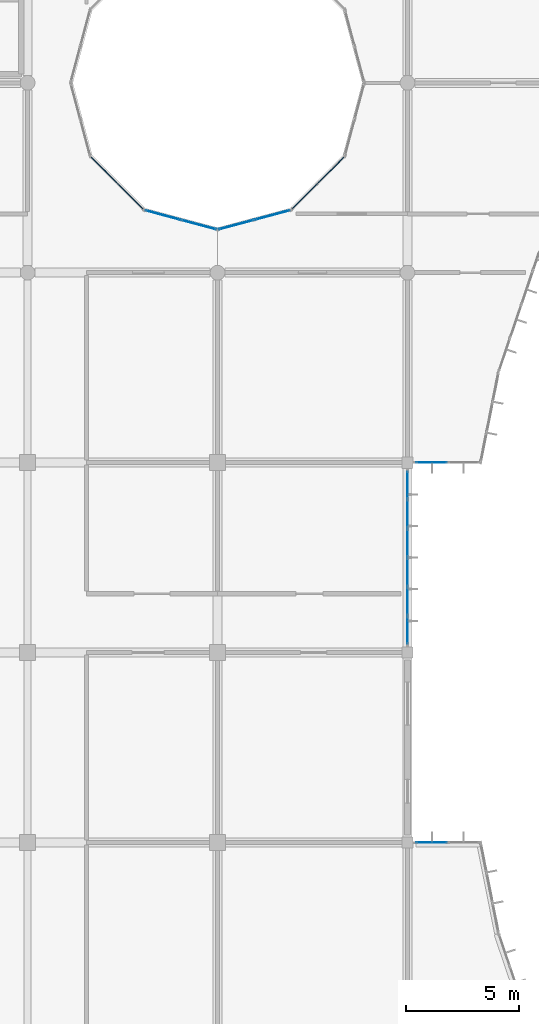
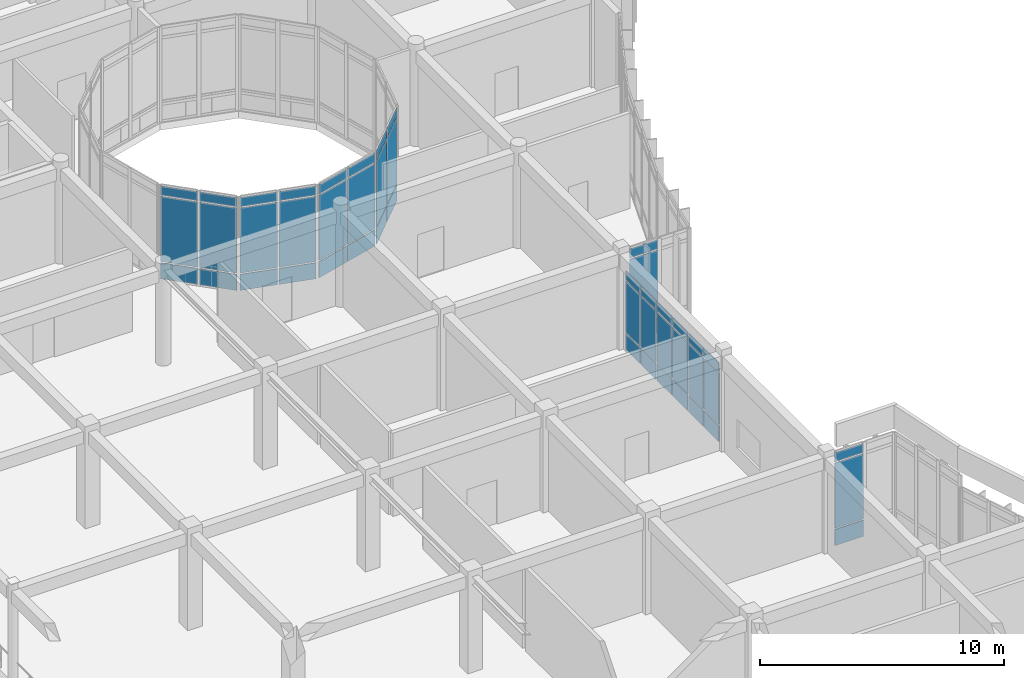
# One storey, part 72 of 134: 48 plates, 7 elements without a shape of their own.
"""IFC4 building model written with IfcOpenShell, lengths in metres."""

from ifc_helpers import new_model, si_unit, direction, frame, origin, origin_2d, place, context, subcontext, project, spatial, rectangle, extrude, material, layer, layer_set, type_object, element, aggregate, save


model = new_model("IFC4")

# Units and contexts
model_context = context("Model", 3, precision=1e-05, world=origin(), true_north=direction((0.0, 1.0)))
body_context = subcontext(model_context, "Body", "Model", "MODEL_VIEW")
ifc_project = project(units=[si_unit("LENGTHUNIT", "METRE"), si_unit("AREAUNIT", "SQUARE_METRE"), si_unit("VOLUMEUNIT", "CUBIC_METRE"), si_unit("PLANEANGLEUNIT", "RADIAN"), si_unit("MASSUNIT", "GRAM", prefix="KILO")], contexts=[model_context])

# Site, building, storey
site_placement = place(None, origin())
site = spatial("IfcSite", under=ifc_project, at=site_placement, CompositionType="ELEMENT")
building_placement = place(site_placement, origin())
building = spatial("IfcBuilding", under=site, at=building_placement, Name="Bramfleet General Hospital", CompositionType="ELEMENT")
storey_placement = place(building_placement, frame((0.0, 0.0, 9.300048828125)))
storey = spatial("IfcBuildingStorey", under=building, at=storey_placement, Name="L02", CompositionType="ELEMENT", Elevation=9.300048828125)

# Curtain wall, plates
ifc_material_1 = material(Name="Anodised aluminium and low-E triple glazing", Category="aluminium")
ifc_layer_1 = layer(ifc_material_1, 0.179931640625, Name="CWT-CW-05")
ifc_layer_set_1 = layer_set([ifc_layer_1], Name="Anodised aluminium and low-E triple glazing")
curtain_wall_type_1 = type_object("IfcCurtainWallType", Name="CWT-CW-05", PredefinedType="USERDEFINED", material=ifc_layer_set_1)
curtain_wall_1_placement = place(storey_placement, origin())
curtain_wall_1 = element("IfcCurtainWall", 1, at=curtain_wall_1_placement, inside=storey, type_object=curtain_wall_type_1, Name="L02 Curtain Wall 113", ObjectType="Unitised curtain wall", PredefinedType="USERDEFINED")
ifc_material_2 = material(Name="Low-E laminated safety glass", Category="glass")
ifc_layer_2 = layer(ifc_material_2, 0.028076171875, Name="CWP-GLZ-1")
ifc_layer_set_2 = layer_set([ifc_layer_2], Name="Low-E laminated safety glass")
plate_type_1 = type_object("IfcPlateType", Name="CWP-GLZ-1", PredefinedType="CURTAIN_PANEL", material=ifc_layer_set_2)
plate_1_placement = place(storey_placement, frame((127.070068359375, 50.39990234375, 0.06494140625), z_axis=(0.0, 0.0, 1.0), x_axis=(-1.0, 0.0, 0.0)))
plate_1 = element("IfcPlate", 2, at=plate_1_placement, type_object=plate_type_1, Name="CW-05 panel 2.1", PredefinedType="CURTAIN_PANEL", context=body_context, shape_type="SweptSolid", body=[
    extrude(rectangle(XDim=1.35009765625, YDim=0.028076171875, at=origin_2d()), origin(), (0.0, 0.0, 1.0), 0.802490234375),
])
plate_2_placement = place(storey_placement, frame((127.070068359375, 50.39990234375, 0.9326171875), z_axis=(0.0, 0.0, 1.0), x_axis=(-1.0, 0.0, 0.0)))
plate_2 = element("IfcPlate", 3, at=plate_2_placement, type_object=plate_type_1, Name="CW-05 panel 2.2", PredefinedType="CURTAIN_PANEL", context=body_context, shape_type="SweptSolid", body=[
    extrude(rectangle(XDim=1.35009765625, YDim=0.028076171875, at=origin_2d()), origin(), (0.0, 0.0, 1.0), 3.2548828125),
])
plate_3_placement = place(storey_placement, frame((127.070068359375, 50.39990234375, 4.25244140625), z_axis=(0.0, 0.0, 1.0), x_axis=(-1.0, 0.0, 0.0)))
plate_3 = element("IfcPlate", 4, at=plate_3_placement, type_object=plate_type_1, Name="CW-05 panel 2.3", PredefinedType="CURTAIN_PANEL", context=body_context, shape_type="SweptSolid", body=[
    extrude(rectangle(XDim=1.35009765625, YDim=0.028076171875, at=origin_2d()), origin(), (0.0, 0.0, 1.0), 0.452392578125),
])
aggregate(curtain_wall_1, [plate_1, plate_2, plate_3])

ifc_layer_3 = layer(ifc_material_1, 0.179931640625, Name="CWT-CW-06")
ifc_layer_set_3 = layer_set([ifc_layer_3], Name="Anodised aluminium and low-E triple glazing")
curtain_wall_type_2 = type_object("IfcCurtainWallType", Name="CWT-CW-06", PredefinedType="USERDEFINED", material=ifc_layer_set_3)
curtain_wall_2_placement = place(storey_placement, origin())
curtain_wall_2 = element("IfcCurtainWall", 5, at=curtain_wall_2_placement, inside=storey, type_object=curtain_wall_type_2, Name="L02 Curtain Wall 114", ObjectType="Unitised curtain wall", PredefinedType="USERDEFINED")
ifc_layer_4 = layer(ifc_material_2, 0.031982421875, Name="CWP-GLZ-2")
ifc_layer_set_4 = layer_set([ifc_layer_4], Name="Low-E laminated safety glass")
plate_type_2 = type_object("IfcPlateType", Name="CWP-GLZ-2", PredefinedType="CURTAIN_PANEL", material=ifc_layer_set_4)
plate_4_placement = place(storey_placement, frame((126.0, 49.41162109375, 0.06494140625), z_axis=(0.0, 0.0, 1.0), x_axis=(0.0, -1.0, 0.0)))
plate_4 = element("IfcPlate", 6, at=plate_4_placement, type_object=plate_type_2, Name="CW-06 panel 1.1", PredefinedType="CURTAIN_PANEL", context=body_context, shape_type="SweptSolid", body=[
    extrude(rectangle(XDim=1.186767578125, YDim=0.031982421875, at=origin_2d()), origin(), (0.0, 0.0, 1.0), 0.802490234375),
])
plate_5_placement = place(storey_placement, frame((126.0, 49.41162109375, 0.9326171875), z_axis=(0.0, 0.0, 1.0), x_axis=(0.0, -1.0, 0.0)))
plate_5 = element("IfcPlate", 7, at=plate_5_placement, type_object=plate_type_2, Name="CW-06 panel 1.2", PredefinedType="CURTAIN_PANEL", context=body_context, shape_type="SweptSolid", body=[
    extrude(rectangle(XDim=1.186767578125, YDim=0.031982421875, at=origin_2d()), origin(), (0.0, 0.0, 1.0), 2.554931640625),
])
plate_6_placement = place(storey_placement, frame((126.0, 49.41162109375, 3.552734375), z_axis=(0.0, 0.0, 1.0), x_axis=(0.0, -1.0, 0.0)))
plate_6 = element("IfcPlate", 8, at=plate_6_placement, type_object=plate_type_2, Name="CW-06 panel 1.3", PredefinedType="CURTAIN_PANEL", context=body_context, shape_type="SweptSolid", body=[
    extrude(rectangle(XDim=1.186767578125, YDim=0.031982421875, at=origin_2d()), origin(), (0.0, 0.0, 1.0), 0.452392578125),
])
plate_7_placement = place(storey_placement, frame((126.0, 48.137451171875, 0.06494140625), z_axis=(0.0, 0.0, 1.0), x_axis=(0.0, -1.0, 0.0)))
plate_7 = element("IfcPlate", 9, at=plate_7_placement, type_object=plate_type_2, Name="CW-06 panel 2.1", PredefinedType="CURTAIN_PANEL", context=body_context, shape_type="SweptSolid", body=[
    extrude(rectangle(XDim=1.2216796875, YDim=0.031982421875, at=origin_2d()), origin(), (0.0, 0.0, 1.0), 0.802490234375),
])
plate_8_placement = place(storey_placement, frame((126.0, 48.137451171875, 0.9326171875), z_axis=(0.0, 0.0, 1.0), x_axis=(0.0, -1.0, 0.0)))
plate_8 = element("IfcPlate", 10, at=plate_8_placement, type_object=plate_type_2, Name="CW-06 panel 2.2", PredefinedType="CURTAIN_PANEL", context=body_context, shape_type="SweptSolid", body=[
    extrude(rectangle(XDim=1.2216796875, YDim=0.031982421875, at=origin_2d()), origin(), (0.0, 0.0, 1.0), 2.554931640625),
])
plate_9_placement = place(storey_placement, frame((126.0, 48.137451171875, 3.552734375), z_axis=(0.0, 0.0, 1.0), x_axis=(0.0, -1.0, 0.0)))
plate_9 = element("IfcPlate", 11, at=plate_9_placement, type_object=plate_type_2, Name="CW-06 panel 2.3", PredefinedType="CURTAIN_PANEL", context=body_context, shape_type="SweptSolid", body=[
    extrude(rectangle(XDim=1.2216796875, YDim=0.031982421875, at=origin_2d()), origin(), (0.0, 0.0, 1.0), 0.452392578125),
])
plate_10_placement = place(storey_placement, frame((126.0, 46.845947265625, 0.06494140625), z_axis=(0.0, 0.0, 1.0), x_axis=(0.0, -1.0, 0.0)))
plate_10 = element("IfcPlate", 12, at=plate_10_placement, type_object=plate_type_2, Name="CW-06 panel 3.1", PredefinedType="CURTAIN_PANEL", context=body_context, shape_type="SweptSolid", body=[
    extrude(rectangle(XDim=1.2216796875, YDim=0.031982421875, at=origin_2d()), origin(), (0.0, 0.0, 1.0), 0.802490234375),
])
plate_11_placement = place(storey_placement, frame((126.0, 46.845947265625, 0.9326171875), z_axis=(0.0, 0.0, 1.0), x_axis=(0.0, -1.0, 0.0)))
plate_11 = element("IfcPlate", 13, at=plate_11_placement, type_object=plate_type_2, Name="CW-06 panel 3.2", PredefinedType="CURTAIN_PANEL", context=body_context, shape_type="SweptSolid", body=[
    extrude(rectangle(XDim=1.2216796875, YDim=0.031982421875, at=origin_2d()), origin(), (0.0, 0.0, 1.0), 2.554931640625),
])
plate_12_placement = place(storey_placement, frame((126.0, 46.845947265625, 3.552734375), z_axis=(0.0, 0.0, 1.0), x_axis=(0.0, -1.0, 0.0)))
plate_12 = element("IfcPlate", 14, at=plate_12_placement, type_object=plate_type_2, Name="CW-06 panel 3.3", PredefinedType="CURTAIN_PANEL", context=body_context, shape_type="SweptSolid", body=[
    extrude(rectangle(XDim=1.2216796875, YDim=0.031982421875, at=origin_2d()), origin(), (0.0, 0.0, 1.0), 0.452392578125),
])
plate_13_placement = place(storey_placement, frame((126.0, 45.55419921875, 0.06494140625), z_axis=(0.0, 0.0, 1.0), x_axis=(0.0, -1.0, 0.0)))
plate_13 = element("IfcPlate", 15, at=plate_13_placement, type_object=plate_type_2, Name="CW-06 panel 4.1", PredefinedType="CURTAIN_PANEL", context=body_context, shape_type="SweptSolid", body=[
    extrude(rectangle(XDim=1.2216796875, YDim=0.031982421875, at=origin_2d()), origin(), (0.0, 0.0, 1.0), 0.802490234375),
])
plate_14_placement = place(storey_placement, frame((126.0, 45.55419921875, 0.9326171875), z_axis=(0.0, 0.0, 1.0), x_axis=(0.0, -1.0, 0.0)))
plate_14 = element("IfcPlate", 16, at=plate_14_placement, type_object=plate_type_2, Name="CW-06 panel 4.2", PredefinedType="CURTAIN_PANEL", context=body_context, shape_type="SweptSolid", body=[
    extrude(rectangle(XDim=1.2216796875, YDim=0.031982421875, at=origin_2d()), origin(), (0.0, 0.0, 1.0), 2.554931640625),
])
plate_15_placement = place(storey_placement, frame((126.0, 45.55419921875, 3.552734375), z_axis=(0.0, 0.0, 1.0), x_axis=(0.0, -1.0, 0.0)))
plate_15 = element("IfcPlate", 17, at=plate_15_placement, type_object=plate_type_2, Name="CW-06 panel 4.3", PredefinedType="CURTAIN_PANEL", context=body_context, shape_type="SweptSolid", body=[
    extrude(rectangle(XDim=1.2216796875, YDim=0.031982421875, at=origin_2d()), origin(), (0.0, 0.0, 1.0), 0.452392578125),
])
plate_16_placement = place(storey_placement, frame((126.0, 44.262451171875, 0.06494140625), z_axis=(0.0, 0.0, 1.0), x_axis=(0.0, -1.0, 0.0)))
plate_16 = element("IfcPlate", 18, at=plate_16_placement, type_object=plate_type_2, Name="CW-06 panel 5.1", PredefinedType="CURTAIN_PANEL", context=body_context, shape_type="SweptSolid", body=[
    extrude(rectangle(XDim=1.2216796875, YDim=0.031982421875, at=origin_2d()), origin(), (0.0, 0.0, 1.0), 0.802490234375),
])
plate_17_placement = place(storey_placement, frame((126.0, 44.262451171875, 0.9326171875), z_axis=(0.0, 0.0, 1.0), x_axis=(0.0, -1.0, 0.0)))
plate_17 = element("IfcPlate", 19, at=plate_17_placement, type_object=plate_type_2, Name="CW-06 panel 5.2", PredefinedType="CURTAIN_PANEL", context=body_context, shape_type="SweptSolid", body=[
    extrude(rectangle(XDim=1.2216796875, YDim=0.031982421875, at=origin_2d()), origin(), (0.0, 0.0, 1.0), 2.554931640625),
])
plate_18_placement = place(storey_placement, frame((126.0, 44.262451171875, 3.552734375), z_axis=(0.0, 0.0, 1.0), x_axis=(0.0, -1.0, 0.0)))
plate_18 = element("IfcPlate", 20, at=plate_18_placement, type_object=plate_type_2, Name="CW-06 panel 5.3", PredefinedType="CURTAIN_PANEL", context=body_context, shape_type="SweptSolid", body=[
    extrude(rectangle(XDim=1.2216796875, YDim=0.031982421875, at=origin_2d()), origin(), (0.0, 0.0, 1.0), 0.452392578125),
])
plate_19_placement = place(storey_placement, frame((126.0, 42.98828125, 0.06494140625), z_axis=(0.0, 0.0, 1.0), x_axis=(0.0, -1.0, 0.0)))
plate_19 = element("IfcPlate", 21, at=plate_19_placement, type_object=plate_type_2, Name="CW-06 panel 6.1", PredefinedType="CURTAIN_PANEL", context=body_context, shape_type="SweptSolid", body=[
    extrude(rectangle(XDim=1.186767578125, YDim=0.031982421875, at=origin_2d()), origin(), (0.0, 0.0, 1.0), 0.802490234375),
])
plate_20_placement = place(storey_placement, frame((126.0, 42.98828125, 0.9326171875), z_axis=(0.0, 0.0, 1.0), x_axis=(0.0, -1.0, 0.0)))
plate_20 = element("IfcPlate", 22, at=plate_20_placement, type_object=plate_type_2, Name="CW-06 panel 6.2", PredefinedType="CURTAIN_PANEL", context=body_context, shape_type="SweptSolid", body=[
    extrude(rectangle(XDim=1.186767578125, YDim=0.031982421875, at=origin_2d()), origin(), (0.0, 0.0, 1.0), 2.554931640625),
])
plate_21_placement = place(storey_placement, frame((126.0, 42.98828125, 3.552734375), z_axis=(0.0, 0.0, 1.0), x_axis=(0.0, -1.0, 0.0)))
plate_21 = element("IfcPlate", 23, at=plate_21_placement, type_object=plate_type_2, Name="CW-06 panel 6.3", PredefinedType="CURTAIN_PANEL", context=body_context, shape_type="SweptSolid", body=[
    extrude(rectangle(XDim=1.186767578125, YDim=0.031982421875, at=origin_2d()), origin(), (0.0, 0.0, 1.0), 0.452392578125),
])
aggregate(curtain_wall_2, [plate_4, plate_5, plate_6, plate_7, plate_8, plate_9, plate_10, plate_11, plate_12, plate_13, plate_14, plate_15, plate_16, plate_17, plate_18, plate_19, plate_20, plate_21])

ifc_layer_5 = layer(ifc_material_1, 0.179931640625, Name="CWT-CW-14")
ifc_layer_set_5 = layer_set([ifc_layer_5], Name="Anodised aluminium and low-E triple glazing")
curtain_wall_type_3 = type_object("IfcCurtainWallType", Name="CWT-CW-14", PredefinedType="USERDEFINED", material=ifc_layer_set_5)
curtain_wall_3_placement = place(storey_placement, origin())
curtain_wall_3 = element("IfcCurtainWall", 24, at=curtain_wall_3_placement, inside=storey, type_object=curtain_wall_type_3, Name="L02 East Laboratory Light Court Curtain Wall 2.1", ObjectType="Stick curtain wall", PredefinedType="USERDEFINED")
plate_22_placement = place(storey_placement, frame((112.578125, 63.3427734375, 0.06494140625), z_axis=(0.0, 0.0, 1.0), x_axis=(0.707106781187, -0.707106781187, 0.0)))
plate_22 = element("IfcPlate", 25, at=plate_22_placement, type_object=plate_type_2, Name="CW-14 panel 1.1", PredefinedType="CURTAIN_PANEL", context=body_context, shape_type="SweptSolid", body=[
    extrude(rectangle(XDim=1.5771484375, YDim=0.031982421875, at=origin_2d()), origin(), (0.0, 0.0, 1.0), 0.802490234375),
])
plate_23_placement = place(storey_placement, frame((112.578125, 63.3427734375, 0.9326171875), z_axis=(0.0, 0.0, 1.0), x_axis=(0.707106781187, -0.707106781187, 0.0)))
plate_23 = element("IfcPlate", 26, at=plate_23_placement, type_object=plate_type_2, Name="CW-14 panel 1.2", PredefinedType="CURTAIN_PANEL", context=body_context, shape_type="SweptSolid", body=[
    extrude(rectangle(XDim=1.5771484375, YDim=0.031982421875, at=origin_2d()), origin(), (0.0, 0.0, 1.0), 3.2548828125),
])
plate_24_placement = place(storey_placement, frame((112.578125, 63.3427734375, 4.25244140625), z_axis=(0.0, 0.0, 1.0), x_axis=(0.707106781187, -0.707106781187, 0.0)))
plate_24 = element("IfcPlate", 27, at=plate_24_placement, type_object=plate_type_2, Name="CW-14 panel 1.3", PredefinedType="CURTAIN_PANEL", context=body_context, shape_type="SweptSolid", body=[
    extrude(rectangle(XDim=1.5771484375, YDim=0.031982421875, at=origin_2d()), origin(), (0.0, 0.0, 1.0), 0.452392578125),
])
plate_25_placement = place(storey_placement, frame((113.742919921875, 62.17822265625, 0.06494140625), z_axis=(0.0, 0.0, 1.0), x_axis=(0.707106781187, -0.707106781187, 0.0)))
plate_25 = element("IfcPlate", 28, at=plate_25_placement, type_object=plate_type_2, Name="CW-14 panel 2.1", PredefinedType="CURTAIN_PANEL", context=body_context, shape_type="SweptSolid", body=[
    extrude(rectangle(XDim=1.5771484375, YDim=0.031982421875, at=origin_2d()), origin(), (0.0, 0.0, 1.0), 0.802490234375),
])
plate_26_placement = place(storey_placement, frame((113.742919921875, 62.17822265625, 0.9326171875), z_axis=(0.0, 0.0, 1.0), x_axis=(0.707106781187, -0.707106781187, 0.0)))
plate_26 = element("IfcPlate", 29, at=plate_26_placement, type_object=plate_type_2, Name="CW-14 panel 2.2", PredefinedType="CURTAIN_PANEL", context=body_context, shape_type="SweptSolid", body=[
    extrude(rectangle(XDim=1.5771484375, YDim=0.031982421875, at=origin_2d()), origin(), (0.0, 0.0, 1.0), 3.2548828125),
])
plate_27_placement = place(storey_placement, frame((113.742919921875, 62.17822265625, 4.25244140625), z_axis=(0.0, 0.0, 1.0), x_axis=(0.707106781187, -0.707106781187, 0.0)))
plate_27 = element("IfcPlate", 30, at=plate_27_placement, type_object=plate_type_2, Name="CW-14 panel 2.3", PredefinedType="CURTAIN_PANEL", context=body_context, shape_type="SweptSolid", body=[
    extrude(rectangle(XDim=1.5771484375, YDim=0.031982421875, at=origin_2d()), origin(), (0.0, 0.0, 1.0), 0.452392578125),
])
aggregate(curtain_wall_3, [plate_22, plate_23, plate_24, plate_25, plate_26, plate_27])

ifc_layer_6 = layer(ifc_material_1, 0.179931640625, Name="CWT-CW-15")
ifc_layer_set_6 = layer_set([ifc_layer_6], Name="Anodised aluminium and low-E triple glazing")
curtain_wall_type_4 = type_object("IfcCurtainWallType", Name="CWT-CW-15", PredefinedType="USERDEFINED", material=ifc_layer_set_6)
curtain_wall_4_placement = place(storey_placement, origin())
curtain_wall_4 = element("IfcCurtainWall", 31, at=curtain_wall_4_placement, inside=storey, type_object=curtain_wall_type_4, Name="L02 East Laboratory Light Court Curtain Wall 3.1", ObjectType="Stick curtain wall", PredefinedType="USERDEFINED")
plate_28_placement = place(storey_placement, frame((115.179443359375, 61.3486328125, 0.06494140625), z_axis=(0.0, 0.0, 1.0), x_axis=(0.965913556273, -0.258864833085, 0.0)))
plate_28 = element("IfcPlate", 32, at=plate_28_placement, type_object=plate_type_2, Name="CW-15 panel 1.1", PredefinedType="CURTAIN_PANEL", context=body_context, shape_type="SweptSolid", body=[
    extrude(rectangle(XDim=1.577392578125, YDim=0.031982421875, at=origin_2d()), origin(), (0.0, 0.0, 1.0), 0.802490234375),
])
plate_29_placement = place(storey_placement, frame((115.179443359375, 61.3486328125, 0.9326171875), z_axis=(0.0, 0.0, 1.0), x_axis=(0.965913556273, -0.258864833085, 0.0)))
plate_29 = element("IfcPlate", 33, at=plate_29_placement, type_object=plate_type_2, Name="CW-15 panel 1.2", PredefinedType="CURTAIN_PANEL", context=body_context, shape_type="SweptSolid", body=[
    extrude(rectangle(XDim=1.577392578125, YDim=0.031982421875, at=origin_2d()), origin(), (0.0, 0.0, 1.0), 3.2548828125),
])
plate_30_placement = place(storey_placement, frame((115.179443359375, 61.3486328125, 4.25244140625), z_axis=(0.0, 0.0, 1.0), x_axis=(0.965913556273, -0.258864833085, 0.0)))
plate_30 = element("IfcPlate", 34, at=plate_30_placement, type_object=plate_type_2, Name="CW-15 panel 1.3", PredefinedType="CURTAIN_PANEL", context=body_context, shape_type="SweptSolid", body=[
    extrude(rectangle(XDim=1.577392578125, YDim=0.031982421875, at=origin_2d()), origin(), (0.0, 0.0, 1.0), 0.452392578125),
])
plate_31_placement = place(storey_placement, frame((116.7705078125, 60.92236328125, 0.06494140625), z_axis=(0.0, 0.0, 1.0), x_axis=(0.965913556273, -0.258864833085, 0.0)))
plate_31 = element("IfcPlate", 35, at=plate_31_placement, type_object=plate_type_2, Name="CW-15 panel 2.1", PredefinedType="CURTAIN_PANEL", context=body_context, shape_type="SweptSolid", body=[
    extrude(rectangle(XDim=1.577392578125, YDim=0.031982421875, at=origin_2d()), origin(), (0.0, 0.0, 1.0), 0.802490234375),
])
plate_32_placement = place(storey_placement, frame((116.7705078125, 60.92236328125, 0.9326171875), z_axis=(0.0, 0.0, 1.0), x_axis=(0.965913556273, -0.258864833085, 0.0)))
plate_32 = element("IfcPlate", 36, at=plate_32_placement, type_object=plate_type_2, Name="CW-15 panel 2.2", PredefinedType="CURTAIN_PANEL", context=body_context, shape_type="SweptSolid", body=[
    extrude(rectangle(XDim=1.577392578125, YDim=0.031982421875, at=origin_2d()), origin(), (0.0, 0.0, 1.0), 3.2548828125),
])
plate_33_placement = place(storey_placement, frame((116.7705078125, 60.92236328125, 4.25244140625), z_axis=(0.0, 0.0, 1.0), x_axis=(0.965913556273, -0.258864833085, 0.0)))
plate_33 = element("IfcPlate", 37, at=plate_33_placement, type_object=plate_type_2, Name="CW-15 panel 2.3", PredefinedType="CURTAIN_PANEL", context=body_context, shape_type="SweptSolid", body=[
    extrude(rectangle(XDim=1.577392578125, YDim=0.031982421875, at=origin_2d()), origin(), (0.0, 0.0, 1.0), 0.452392578125),
])
aggregate(curtain_wall_4, [plate_28, plate_29, plate_30, plate_31, plate_32, plate_33])

ifc_layer_7 = layer(ifc_material_1, 0.179931640625, Name="CWT-CW-16")
ifc_layer_set_7 = layer_set([ifc_layer_7], Name="Anodised aluminium and low-E triple glazing")
curtain_wall_type_5 = type_object("IfcCurtainWallType", Name="CWT-CW-16", PredefinedType="USERDEFINED", material=ifc_layer_set_7)
curtain_wall_5_placement = place(storey_placement, origin())
curtain_wall_5 = element("IfcCurtainWall", 38, at=curtain_wall_5_placement, inside=storey, type_object=curtain_wall_type_5, Name="L02 East Laboratory Light Court Curtain Wall 4.1", ObjectType="Stick curtain wall", PredefinedType="USERDEFINED")
plate_34_placement = place(storey_placement, frame((118.429443359375, 60.92236328125, 0.06494140625), z_axis=(0.0, 0.0, 1.0), x_axis=(0.965913556273, 0.258864833085, 0.0)))
plate_34 = element("IfcPlate", 39, at=plate_34_placement, type_object=plate_type_2, Name="CW-16 panel 1.1", PredefinedType="CURTAIN_PANEL", context=body_context, shape_type="SweptSolid", body=[
    extrude(rectangle(XDim=1.577392578125, YDim=0.031982421875, at=origin_2d()), origin(), (0.0, 0.0, 1.0), 0.802490234375),
])
plate_35_placement = place(storey_placement, frame((118.429443359375, 60.92236328125, 0.9326171875), z_axis=(0.0, 0.0, 1.0), x_axis=(0.965913556273, 0.258864833085, 0.0)))
plate_35 = element("IfcPlate", 40, at=plate_35_placement, type_object=plate_type_2, Name="CW-16 panel 1.2", PredefinedType="CURTAIN_PANEL", context=body_context, shape_type="SweptSolid", body=[
    extrude(rectangle(XDim=1.577392578125, YDim=0.031982421875, at=origin_2d()), origin(), (0.0, 0.0, 1.0), 3.2548828125),
])
plate_36_placement = place(storey_placement, frame((118.429443359375, 60.92236328125, 4.25244140625), z_axis=(0.0, 0.0, 1.0), x_axis=(0.965913556273, 0.258864833085, 0.0)))
plate_36 = element("IfcPlate", 41, at=plate_36_placement, type_object=plate_type_2, Name="CW-16 panel 1.3", PredefinedType="CURTAIN_PANEL", context=body_context, shape_type="SweptSolid", body=[
    extrude(rectangle(XDim=1.577392578125, YDim=0.031982421875, at=origin_2d()), origin(), (0.0, 0.0, 1.0), 0.452392578125),
])
plate_37_placement = place(storey_placement, frame((120.0205078125, 61.3486328125, 0.06494140625), z_axis=(0.0, 0.0, 1.0), x_axis=(0.965913556273, 0.258864833085, 0.0)))
plate_37 = element("IfcPlate", 42, at=plate_37_placement, type_object=plate_type_2, Name="CW-16 panel 2.1", PredefinedType="CURTAIN_PANEL", context=body_context, shape_type="SweptSolid", body=[
    extrude(rectangle(XDim=1.577392578125, YDim=0.031982421875, at=origin_2d()), origin(), (0.0, 0.0, 1.0), 0.802490234375),
])
plate_38_placement = place(storey_placement, frame((120.0205078125, 61.3486328125, 0.9326171875), z_axis=(0.0, 0.0, 1.0), x_axis=(0.965913556273, 0.258864833085, 0.0)))
plate_38 = element("IfcPlate", 43, at=plate_38_placement, type_object=plate_type_2, Name="CW-16 panel 2.2", PredefinedType="CURTAIN_PANEL", context=body_context, shape_type="SweptSolid", body=[
    extrude(rectangle(XDim=1.577392578125, YDim=0.031982421875, at=origin_2d()), origin(), (0.0, 0.0, 1.0), 3.2548828125),
])
plate_39_placement = place(storey_placement, frame((120.0205078125, 61.3486328125, 4.25244140625), z_axis=(0.0, 0.0, 1.0), x_axis=(0.965913556273, 0.258864833085, 0.0)))
plate_39 = element("IfcPlate", 44, at=plate_39_placement, type_object=plate_type_2, Name="CW-16 panel 2.3", PredefinedType="CURTAIN_PANEL", context=body_context, shape_type="SweptSolid", body=[
    extrude(rectangle(XDim=1.577392578125, YDim=0.031982421875, at=origin_2d()), origin(), (0.0, 0.0, 1.0), 0.452392578125),
])
aggregate(curtain_wall_5, [plate_34, plate_35, plate_36, plate_37, plate_38, plate_39])

ifc_layer_8 = layer(ifc_material_1, 0.179931640625, Name="CWT-CW-17")
ifc_layer_set_8 = layer_set([ifc_layer_8], Name="Anodised aluminium and low-E triple glazing")
curtain_wall_type_6 = type_object("IfcCurtainWallType", Name="CWT-CW-17", PredefinedType="USERDEFINED", material=ifc_layer_set_8)
curtain_wall_6_placement = place(storey_placement, origin())
curtain_wall_6 = element("IfcCurtainWall", 45, at=curtain_wall_6_placement, inside=storey, type_object=curtain_wall_type_6, Name="L02 East Laboratory Light Court Curtain Wall 5.1", ObjectType="Stick curtain wall", PredefinedType="USERDEFINED")
plate_40_placement = place(storey_placement, frame((121.45703125, 62.17822265625, 0.06494140625), z_axis=(0.0, 0.0, 1.0), x_axis=(0.707106781187, 0.707106781187, 0.0)))
plate_40 = element("IfcPlate", 46, at=plate_40_placement, type_object=plate_type_2, Name="CW-17 panel 1.1", PredefinedType="CURTAIN_PANEL", context=body_context, shape_type="SweptSolid", body=[
    extrude(rectangle(XDim=1.5771484375, YDim=0.031982421875, at=origin_2d()), origin(), (0.0, 0.0, 1.0), 0.802490234375),
])
plate_41_placement = place(storey_placement, frame((121.45703125, 62.17822265625, 0.9326171875), z_axis=(0.0, 0.0, 1.0), x_axis=(0.707106781187, 0.707106781187, 0.0)))
plate_41 = element("IfcPlate", 47, at=plate_41_placement, type_object=plate_type_2, Name="CW-17 panel 1.2", PredefinedType="CURTAIN_PANEL", context=body_context, shape_type="SweptSolid", body=[
    extrude(rectangle(XDim=1.5771484375, YDim=0.031982421875, at=origin_2d()), origin(), (0.0, 0.0, 1.0), 3.2548828125),
])
plate_42_placement = place(storey_placement, frame((121.45703125, 62.17822265625, 4.25244140625), z_axis=(0.0, 0.0, 1.0), x_axis=(0.707106781187, 0.707106781187, 0.0)))
plate_42 = element("IfcPlate", 48, at=plate_42_placement, type_object=plate_type_2, Name="CW-17 panel 1.3", PredefinedType="CURTAIN_PANEL", context=body_context, shape_type="SweptSolid", body=[
    extrude(rectangle(XDim=1.5771484375, YDim=0.031982421875, at=origin_2d()), origin(), (0.0, 0.0, 1.0), 0.452392578125),
])
plate_43_placement = place(storey_placement, frame((122.621826171875, 63.3427734375, 0.06494140625), z_axis=(0.0, 0.0, 1.0), x_axis=(0.707106781187, 0.707106781187, 0.0)))
plate_43 = element("IfcPlate", 49, at=plate_43_placement, type_object=plate_type_2, Name="CW-17 panel 2.1", PredefinedType="CURTAIN_PANEL", context=body_context, shape_type="SweptSolid", body=[
    extrude(rectangle(XDim=1.5771484375, YDim=0.031982421875, at=origin_2d()), origin(), (0.0, 0.0, 1.0), 0.802490234375),
])
plate_44_placement = place(storey_placement, frame((122.621826171875, 63.3427734375, 0.9326171875), z_axis=(0.0, 0.0, 1.0), x_axis=(0.707106781187, 0.707106781187, 0.0)))
plate_44 = element("IfcPlate", 50, at=plate_44_placement, type_object=plate_type_2, Name="CW-17 panel 2.2", PredefinedType="CURTAIN_PANEL", context=body_context, shape_type="SweptSolid", body=[
    extrude(rectangle(XDim=1.5771484375, YDim=0.031982421875, at=origin_2d()), origin(), (0.0, 0.0, 1.0), 3.2548828125),
])
plate_45_placement = place(storey_placement, frame((122.621826171875, 63.3427734375, 4.25244140625), z_axis=(0.0, 0.0, 1.0), x_axis=(0.707106781187, 0.707106781187, 0.0)))
plate_45 = element("IfcPlate", 51, at=plate_45_placement, type_object=plate_type_2, Name="CW-17 panel 2.3", PredefinedType="CURTAIN_PANEL", context=body_context, shape_type="SweptSolid", body=[
    extrude(rectangle(XDim=1.5771484375, YDim=0.031982421875, at=origin_2d()), origin(), (0.0, 0.0, 1.0), 0.452392578125),
])
aggregate(curtain_wall_6, [plate_40, plate_41, plate_42, plate_43, plate_44, plate_45])

ifc_layer_9 = layer(ifc_material_1, 0.179931640625, Name="CWT-CW-07")
ifc_layer_set_9 = layer_set([ifc_layer_9], Name="Anodised aluminium and low-E triple glazing")
curtain_wall_type_7 = type_object("IfcCurtainWallType", Name="CWT-CW-07", PredefinedType="USERDEFINED", material=ifc_layer_set_9)
curtain_wall_7_placement = place(storey_placement, origin())
curtain_wall_7 = element("IfcCurtainWall", 52, at=curtain_wall_7_placement, inside=storey, type_object=curtain_wall_type_7, Name="L02 Curtain Wall 115", ObjectType="Unitised curtain wall", PredefinedType="USERDEFINED")
ifc_layer_10 = layer(ifc_material_2, 0.035888671875, Name="CWP-GLZ-3")
ifc_layer_set_10 = layer_set([ifc_layer_10], Name="Low-E laminated safety glass")
plate_type_3 = type_object("IfcPlateType", Name="CWP-GLZ-3", PredefinedType="CURTAIN_PANEL", material=ifc_layer_set_10)
plate_46_placement = place(storey_placement, frame((127.070068359375, 33.60009765625, 0.06494140625), z_axis=(0.0, 0.0, 1.0), x_axis=(1.0, 0.0, 0.0)))
plate_46 = element("IfcPlate", 53, at=plate_46_placement, type_object=plate_type_3, Name="CW-07 panel 1.1", PredefinedType="CURTAIN_PANEL", context=body_context, shape_type="SweptSolid", body=[
    extrude(rectangle(XDim=1.35009765625, YDim=0.035888671875, at=origin_2d()), origin(), (0.0, 0.0, 1.0), 0.802490234375),
])
plate_47_placement = place(storey_placement, frame((127.070068359375, 33.60009765625, 0.9326171875), z_axis=(0.0, 0.0, 1.0), x_axis=(1.0, 0.0, 0.0)))
plate_47 = element("IfcPlate", 54, at=plate_47_placement, type_object=plate_type_3, Name="CW-07 panel 1.2", PredefinedType="CURTAIN_PANEL", context=body_context, shape_type="SweptSolid", body=[
    extrude(rectangle(XDim=1.35009765625, YDim=0.035888671875, at=origin_2d()), origin(), (0.0, 0.0, 1.0), 3.2548828125),
])
plate_48_placement = place(storey_placement, frame((127.070068359375, 33.60009765625, 4.25244140625), z_axis=(0.0, 0.0, 1.0), x_axis=(1.0, 0.0, 0.0)))
plate_48 = element("IfcPlate", 55, at=plate_48_placement, type_object=plate_type_3, Name="CW-07 panel 1.3", PredefinedType="CURTAIN_PANEL", context=body_context, shape_type="SweptSolid", body=[
    extrude(rectangle(XDim=1.35009765625, YDim=0.035888671875, at=origin_2d()), origin(), (0.0, 0.0, 1.0), 0.452392578125),
])
aggregate(curtain_wall_7, [plate_46, plate_47, plate_48])

save(model, "model.ifc")
